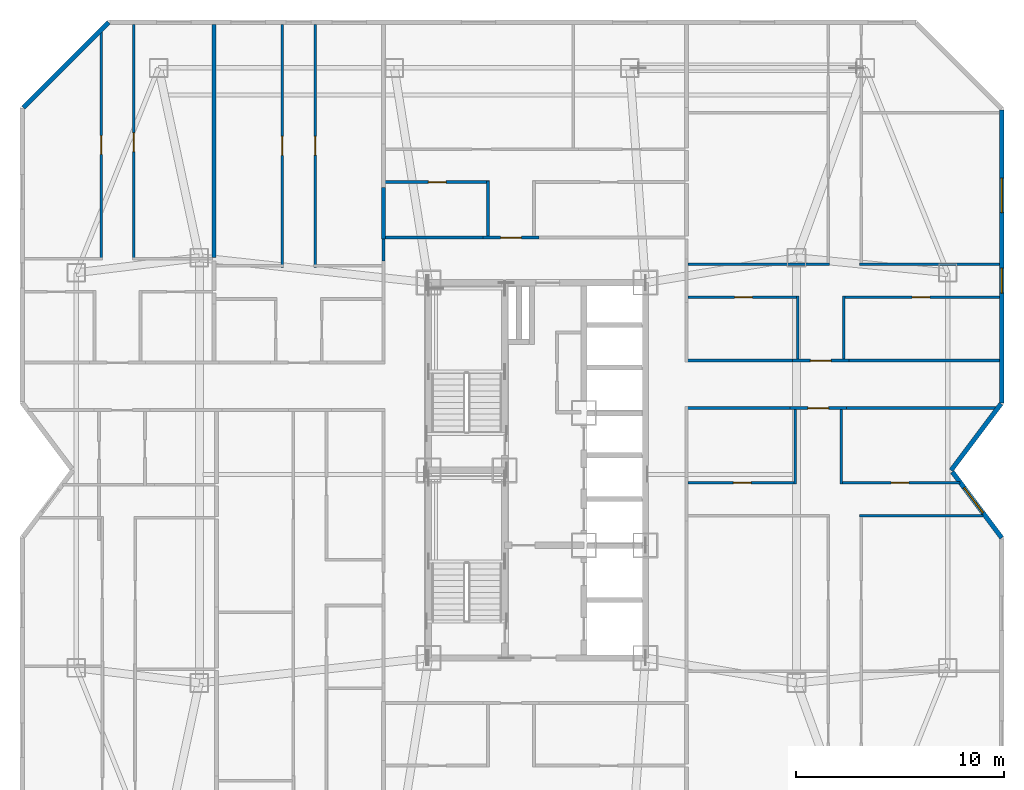
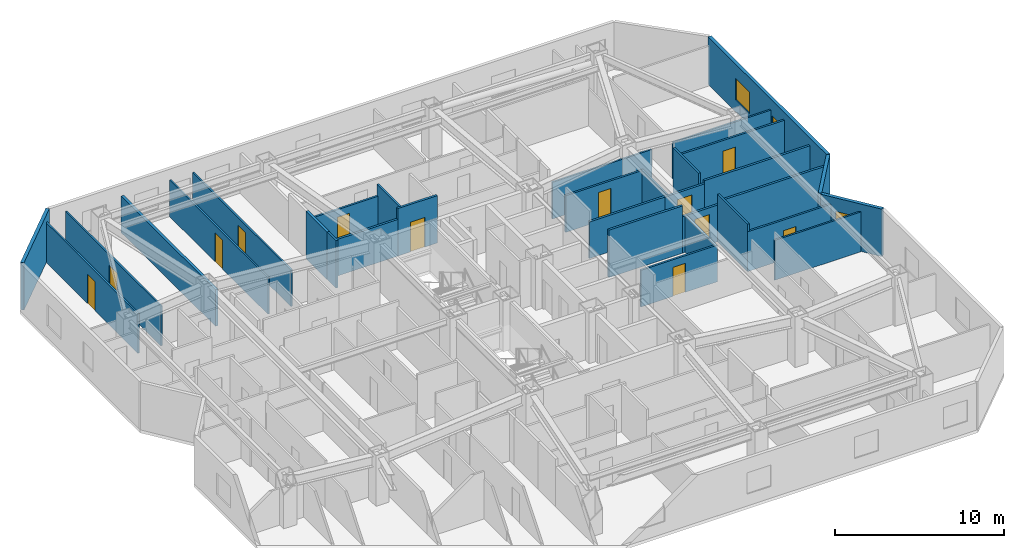
# One storey, part 9 of 12: 32 walls, 12 doors, 3 windows, 15 openings.
"""IFC4 building model written with IfcOpenShell, lengths in metres."""

from ifc_helpers import new_model, si_unit, direction, frame, frame_2d, origin, place, context, subcontext, project, spatial, rectangle, extrude, material, layer, layer_set, type_object, element, fill, save


model = new_model("IFC4")

# Units and contexts
model_context = context("Model", 3, precision=1e-05, world=origin(), true_north=direction((0.0, 1.0)))
body_context = subcontext(model_context, "Body", "Model", "MODEL_VIEW")
ifc_project = project(units=[si_unit("LENGTHUNIT", "METRE"), si_unit("AREAUNIT", "SQUARE_METRE"), si_unit("VOLUMEUNIT", "CUBIC_METRE"), si_unit("PLANEANGLEUNIT", "RADIAN"), si_unit("MASSUNIT", "GRAM", prefix="KILO")], contexts=[model_context])

# Site, building, storey
site_placement = place(None, origin())
site = spatial("IfcSite", under=ifc_project, at=site_placement, CompositionType="ELEMENT")
building_placement = place(site_placement, origin())
building = spatial("IfcBuilding", under=site, at=building_placement, Name="Khamvora Tower", CompositionType="ELEMENT")
storey_placement = place(building_placement, frame((0.0, 0.0, 138.39990234375)))
storey = spatial("IfcBuildingStorey", under=building, at=storey_placement, Name="L35", CompositionType="ELEMENT", Elevation=138.39990234375)

# Wall
ifc_material_1 = material(Name="Fire-Rated Drywall and Steel Stud", Category="steel")
ifc_layer_1 = layer(ifc_material_1, 0.14990234375)
ifc_layer_set_1 = layer_set([ifc_layer_1], Name="Fire-Rated Drywall and Steel Stud")
wall_type_1 = type_object("IfcWallType", Name="WAL-CORR-150", PredefinedType="STANDARD", material=ifc_layer_set_1)
wall_1_placement = place(storey_placement, frame((26.8349609375, 38.051025390625, 0.0), z_axis=(0.0, 0.0, 1.0), x_axis=(0.0, 1.0, 0.0)))
element("IfcWall", 1, at=wall_1_placement, inside=storey, type_object=wall_type_1, Name="L35 interior partition wall 022", PredefinedType="STANDARD", context=body_context, shape_type="SweptSolid", body=[
    extrude(rectangle(XDim=1.049072265625, YDim=0.14990234375, at=frame_2d((0.5244140625, 0.0))), origin(), (0.0, 0.0, 1.0), 3.43017578125),
])

# Wall, opening, door
wall_2_placement = place(storey_placement, frame((31.60107421875, 39.1650390625, 0.0), z_axis=(0.0, 0.0, 1.0), x_axis=(1.0, 0.0, 0.0)))
wall_2 = element("IfcWall", 2, at=wall_2_placement, inside=storey, type_object=wall_type_1, Name="L35 interior partition wall 026", PredefinedType="STANDARD", context=body_context, shape_type="SweptSolid", body=[
    extrude(rectangle(XDim=2.697998046875, YDim=0.14990234375, at=frame_2d((1.34912109375, 0.0))), origin(), (0.0, 0.0, 1.0), 3.43017578125),
])
opening_1_placement = place(wall_2_placement, frame((0.84912109375, 0.0, 0.0)))
opening_1 = element("IfcOpeningElement", 3, at=opening_1_placement, cuts=wall_2, Name="Opening D-U1", PredefinedType="OPENING", context=body_context, shape_type="SweptSolid", body=[
    extrude(rectangle(XDim=1.0, YDim=2.14990234375, at=frame_2d((0.5, 1.074951171875))), frame((0.0, 0.0849609375, 0.0), z_axis=(0.0, -1.0, 0.0), x_axis=(1.0, 0.0, 0.0)), (0.0, 0.0, 1.0), 0.169921875),
])
ifc_material_2 = material(Name="Powder-Coated Steel and Hardwood Leaf", Category="steel")
door_type_1 = type_object("IfcDoorType", Name="DOR-UNIT-1000", OperationType="NOTDEFINED", PredefinedType="DOOR", material=ifc_material_2)
door_1_placement = place(opening_1_placement, origin())
door_1 = element("IfcDoor", 4, at=door_1_placement, inside=storey, type_object=door_type_1, Name="L35 interior door COR-35NAH", OperationType="SINGLE_SWING_RIGHT", OverallHeight=2.14990234375, OverallWidth=1.0, PredefinedType="DOOR", context=body_context, shape_type="SweptSolid", body=[
    extrude(rectangle(XDim=1.0, YDim=2.14990234375, at=frame_2d((0.5, 1.074951171875))), frame((0.0, 0.02490234375, 0.0), z_axis=(0.0, -1.0, 0.0), x_axis=(1.0, 0.0, 0.0)), (0.0, 0.0, 1.0), 0.050048828125),
])
fill(opening_1, door_1)

# Wall
wall_3_placement = place(storey_placement, frame((26.89990234375, 39.1650390625, 0.0), z_axis=(0.0, 0.0, 1.0), x_axis=(1.0, 0.0, 0.0)))
element("IfcWall", 5, at=wall_3_placement, inside=storey, type_object=wall_type_1, Name="L35 interior partition wall 027", PredefinedType="STANDARD", context=body_context, shape_type="SweptSolid", body=[
    extrude(rectangle(XDim=4.701171875, YDim=0.14990234375, at=frame_2d((2.3505859375, 0.0))), origin(), (0.0, 0.0, 1.0), 2.647216796875),
])

# Wall, opening, door
wall_4_placement = place(storey_placement, frame((49.0400390625, 30.985107421875, 0.0), z_axis=(0.0, 0.0, 1.0), x_axis=(-1.0, 0.0, 0.0)))
wall_4 = element("IfcWall", 6, at=wall_4_placement, inside=storey, type_object=wall_type_1, Name="L35 interior partition wall 029", PredefinedType="STANDARD", context=body_context, shape_type="SweptSolid", body=[
    extrude(rectangle(XDim=2.697998046875, YDim=0.14990234375, at=frame_2d((1.34912109375, 0.0))), origin(), (0.0, 0.0, 1.0), 2.647216796875),
])
opening_2_placement = place(wall_4_placement, frame((0.84912109375, 0.0, 0.0)))
opening_2 = element("IfcOpeningElement", 7, at=opening_2_placement, cuts=wall_4, Name="Opening D-U1", PredefinedType="OPENING", context=body_context, shape_type="SweptSolid", body=[
    extrude(rectangle(XDim=1.0, YDim=2.14990234375, at=frame_2d((0.5, 1.074951171875))), frame((0.0, 0.0849609375, 0.0), z_axis=(0.0, -1.0, 0.0), x_axis=(1.0, 0.0, 0.0)), (0.0, 0.0, 1.0), 0.169921875),
])
door_2_placement = place(opening_2_placement, origin())
door_2 = element("IfcDoor", 8, at=door_2_placement, inside=storey, type_object=door_type_1, Name="L35 interior door COR-35EAH", OperationType="SINGLE_SWING_LEFT", OverallHeight=2.14990234375, OverallWidth=1.0, PredefinedType="DOOR", context=body_context, shape_type="SweptSolid", body=[
    extrude(rectangle(XDim=1.0, YDim=2.14990234375, at=frame_2d((0.5, 1.074951171875))), frame((0.0, 0.02490234375, 0.0), z_axis=(0.0, -1.0, 0.0), x_axis=(1.0, 0.0, 0.0)), (0.0, 0.0, 1.0), 0.050048828125),
])
fill(opening_2, door_2)

# Walls
wall_5_placement = place(storey_placement, frame((46.342041015625, 30.985107421875, 0.0), z_axis=(0.0, 0.0, 1.0), x_axis=(-1.0, 0.0, 0.0)))
element("IfcWall", 9, at=wall_5_placement, inside=storey, type_object=wall_type_1, Name="L35 interior partition wall 031", PredefinedType="STANDARD", context=body_context, shape_type="SweptSolid", body=[
    extrude(rectangle(XDim=5.0419921875, YDim=0.14990234375, at=frame_2d((2.52099609375, 0.0))), origin(), (0.0, 0.0, 1.0), 3.43017578125),
])
wall_6_placement = place(storey_placement, frame((56.287109375, 30.985107421875, 0.0), z_axis=(0.0, 0.0, 1.0), x_axis=(-1.0, 0.0, 0.0)))
element("IfcWall", 10, at=wall_6_placement, inside=storey, type_object=wall_type_1, Name="L35 interior partition wall 033", PredefinedType="STANDARD", context=body_context, shape_type="SweptSolid", body=[
    extrude(rectangle(XDim=7.2470703125, YDim=0.14990234375, at=frame_2d((3.62353515625, 0.0))), origin(), (0.0, 0.0, 1.0), 2.8759765625),
])

# Wall, opening, door
wall_7_placement = place(storey_placement, frame((46.4609375, 33.264892578125, 0.0), z_axis=(0.0, 0.0, 1.0), x_axis=(1.0, 0.0, 0.0)))
wall_7 = element("IfcWall", 11, at=wall_7_placement, inside=storey, type_object=wall_type_1, Name="L35 interior partition wall 037", PredefinedType="STANDARD", context=body_context, shape_type="SweptSolid", body=[
    extrude(rectangle(XDim=2.697998046875, YDim=0.14990234375, at=frame_2d((1.34912109375, 0.0))), origin(), (0.0, 0.0, 1.0), 2.647216796875),
])
opening_3_placement = place(wall_7_placement, frame((0.84912109375, 0.0, 0.0)))
opening_3 = element("IfcOpeningElement", 12, at=opening_3_placement, cuts=wall_7, Name="Opening D-U1", PredefinedType="OPENING", context=body_context, shape_type="SweptSolid", body=[
    extrude(rectangle(XDim=1.0, YDim=2.14990234375, at=frame_2d((0.5, 1.074951171875))), frame((0.0, 0.0849609375, 0.0), z_axis=(0.0, -1.0, 0.0), x_axis=(1.0, 0.0, 0.0)), (0.0, 0.0, 1.0), 0.169921875),
])
door_3_placement = place(opening_3_placement, origin())
door_3 = element("IfcDoor", 13, at=door_3_placement, inside=storey, type_object=door_type_1, Name="L35 interior door COR-35EBH", OperationType="SINGLE_SWING_RIGHT", OverallHeight=2.14990234375, OverallWidth=1.0, PredefinedType="DOOR", context=body_context, shape_type="SweptSolid", body=[
    extrude(rectangle(XDim=1.0, YDim=2.14990234375, at=frame_2d((0.5, 1.074951171875))), frame((0.0, 0.02490234375, 0.0), z_axis=(0.0, -1.0, 0.0), x_axis=(1.0, 0.0, 0.0)), (0.0, 0.0, 1.0), 0.050048828125),
])
fill(opening_3, door_3)

# Walls
wall_8_placement = place(storey_placement, frame((41.300048828125, 33.264892578125, 0.0), z_axis=(0.0, 0.0, 1.0), x_axis=(1.0, 0.0, 0.0)))
element("IfcWall", 14, at=wall_8_placement, inside=storey, type_object=wall_type_1, Name="L35 interior partition wall 039", PredefinedType="STANDARD", context=body_context, shape_type="SweptSolid", body=[
    extrude(rectangle(XDim=5.160888671875, YDim=0.14990234375, at=frame_2d((2.58056640625, 0.0))), origin(), (0.0, 0.0, 1.0), 2.647216796875),
])
wall_9_placement = place(storey_placement, frame((49.158935546875, 33.264892578125, 0.0), z_axis=(0.0, 0.0, 1.0), x_axis=(1.0, 0.0, 0.0)))
element("IfcWall", 15, at=wall_9_placement, inside=storey, type_object=wall_type_1, Name="L35 interior partition wall 040", PredefinedType="STANDARD", context=body_context, shape_type="SweptSolid", body=[
    extrude(rectangle(XDim=7.22900390625, YDim=0.14990234375, at=frame_2d((3.614501953125, 0.0))), origin(), (0.0, 0.0, 1.0), 2.8759765625),
])
ifc_material_3 = material(Name="Acoustic Double-Stud Fire Wall", Category="gypsum")
ifc_layer_2 = layer(ifc_material_3, 0.179931640625)
ifc_layer_set_2 = layer_set([ifc_layer_2], Name="Acoustic Double-Stud Fire Wall")
wall_type_2 = type_object("IfcWallType", Name="WAL-CORR-180", PredefinedType="STANDARD", material=ifc_layer_set_2)
wall_10_placement = place(storey_placement, frame((18.705078125, 49.387939453125, 0.0), z_axis=(0.0, 0.0, 1.0), x_axis=(0.0, -1.0, 0.0)))
element("IfcWall", 16, at=wall_10_placement, inside=storey, type_object=wall_type_2, Name="L35 interior partition wall 085", PredefinedType="STANDARD", context=body_context, shape_type="SweptSolid", body=[
    extrude(rectangle(XDim=11.180908203125, YDim=0.179931640625, at=frame_2d((5.59033203125, 0.0))), origin(), (0.0, 0.0, 1.0), 2.647216796875),
])
wall_11_placement = place(storey_placement, frame((26.8349609375, 41.572998046875, 0.0), z_axis=(0.0, 0.0, 1.0), x_axis=(0.0, -1.0, 0.0)))
element("IfcWall", 17, at=wall_11_placement, inside=storey, type_object=wall_type_2, Name="L35 interior partition wall 095", PredefinedType="STANDARD", context=body_context, shape_type="SweptSolid", body=[
    extrude(rectangle(XDim=2.472900390625, YDim=0.179931640625, at=frame_2d((1.236328125, 0.0))), origin(), (0.0, 0.0, 1.0), 3.43017578125),
])
ifc_material_4 = material(Name="Precast concrete C40/50", Category="concrete")
ifc_layer_3 = layer(ifc_material_4, 0.219970703125)
ifc_layer_set_3 = layer_set([ifc_layer_3], Name="Precast concrete C40/50")
wall_type_3 = type_object("IfcWallType", Name="WAL-EXT-220", PredefinedType="STANDARD", material=ifc_layer_set_3)
wall_12_placement = place(storey_placement, frame((9.55810546875, 45.402099609375, 0.0), z_axis=(0.0, 0.0, 1.0), x_axis=(0.707106781187, 0.707106781187, 0.0)))
element("IfcWall", 18, at=wall_12_placement, inside=storey, type_object=wall_type_3, Name="L35 exterior facade wall 06.1", PredefinedType="STANDARD", context=body_context, shape_type="SweptSolid", body=[
    extrude(rectangle(XDim=5.78125, YDim=0.219970703125, at=frame_2d((2.890625, 0.0))), origin(), (0.0, 0.0, 1.0), 3.43017578125),
])

# Wall, openings, windows
wall_13_placement = place(storey_placement, frame((56.489990234375, 45.282958984375, 0.0), z_axis=(0.0, 0.0, 1.0), x_axis=(0.0, -1.0, 0.0)))
wall_13 = element("IfcWall", 19, at=wall_13_placement, inside=storey, type_object=wall_type_3, Name="L35 exterior facade wall 09.1", PredefinedType="STANDARD", context=body_context, shape_type="SweptSolid", body=[
    extrude(rectangle(XDim=14.0458984375, YDim=0.219970703125, at=frame_2d((7.02294921875, 0.0))), origin(), (0.0, 0.0, 1.0), 3.43017578125),
])
opening_4_placement = place(wall_13_placement, frame((7.589111328125, 0.0, 0.800048828125)))
opening_4 = element("IfcOpeningElement", 20, at=opening_4_placement, cuts=wall_13, Name="Opening WN-03", PredefinedType="OPENING", context=body_context, shape_type="SweptSolid", body=[
    extrude(rectangle(XDim=1.199951171875, YDim=1.5, at=frame_2d((0.60009765625, 0.75))), frame((0.0, 0.119873046875, 0.0), z_axis=(0.0, -1.0, 0.0), x_axis=(1.0, 0.0, 0.0)), (0.0, 0.0, 1.0), 0.239990234375),
])
opening_5_placement = place(wall_13_placement, frame((3.26708984375, 0.0, 0.85009765625)))
opening_5 = element("IfcOpeningElement", 21, at=opening_5_placement, cuts=wall_13, Name="Opening WN-06", PredefinedType="OPENING", context=body_context, shape_type="SweptSolid", body=[
    extrude(rectangle(XDim=1.64990234375, YDim=1.550048828125, at=frame_2d((0.824951171875, 0.77490234375))), frame((0.0, 0.119873046875, 0.0), z_axis=(0.0, -1.0, 0.0), x_axis=(1.0, 0.0, 0.0)), (0.0, 0.0, 1.0), 0.239990234375),
])
ifc_material_5 = material(Name="Low-E Laminated Double Glazing", Category="glass")
window_type_1 = type_object("IfcWindowType", Name="WIN-VIS-1200x1500", PartitioningType="SINGLE_PANEL", PredefinedType="WINDOW", material=ifc_material_5)
window_1_placement = place(opening_4_placement, origin())
window_1 = element("IfcWindow", 22, at=window_1_placement, inside=storey, type_object=window_type_1, Name="L35 vision window 09.1.01", OverallHeight=1.5, OverallWidth=1.199951171875, PartitioningType="SINGLE_PANEL", PredefinedType="WINDOW", context=body_context, shape_type="SweptSolid", body=[
    extrude(rectangle(XDim=1.199951171875, YDim=1.5, at=frame_2d((0.60009765625, 0.75))), frame((0.0, 0.030029296875, 0.0), z_axis=(0.0, -1.0, 0.0), x_axis=(1.0, 0.0, 0.0)), (0.0, 0.0, 1.0), 0.06005859375),
])
fill(opening_4, window_1)
window_type_2 = type_object("IfcWindowType", Name="WIN-VIS-1650x1550", PartitioningType="SINGLE_PANEL", PredefinedType="WINDOW", material=ifc_material_5)
window_2_placement = place(opening_5_placement, origin())
window_2 = element("IfcWindow", 23, at=window_2_placement, inside=storey, type_object=window_type_2, Name="L35 vision window 09.1.02", OverallHeight=1.550048828125, OverallWidth=1.64990234375, PartitioningType="SINGLE_PANEL", PredefinedType="WINDOW", context=body_context, shape_type="SweptSolid", body=[
    extrude(rectangle(XDim=1.64990234375, YDim=1.550048828125, at=frame_2d((0.824951171875, 0.77490234375))), frame((0.0, 0.030029296875, 0.0), z_axis=(0.0, -1.0, 0.0), x_axis=(1.0, 0.0, 0.0)), (0.0, 0.0, 1.0), 0.06005859375),
])
fill(opening_5, window_2)

# Wall
wall_14_placement = place(storey_placement, frame((56.4560546875, 31.19091796875, 0.0), z_axis=(0.0, 0.0, 1.0), x_axis=(-0.600137081448, -0.799897170561, 0.0)))
element("IfcWall", 24, at=wall_14_placement, inside=storey, type_object=wall_type_3, Name="L35 exterior facade wall 10.1", PredefinedType="STANDARD", context=body_context, shape_type="SweptSolid", body=[
    extrude(rectangle(XDim=3.9892578125, YDim=0.219970703125, at=frame_2d((1.99462890625, 0.0))), origin(), (0.0, 0.0, 1.0), 3.43017578125),
])

# Wall, opening, window
wall_15_placement = place(storey_placement, frame((54.118896484375, 27.924072265625, 0.0), z_axis=(0.0, 0.0, 1.0), x_axis=(0.600039540588, -0.799970343032, 0.0)))
wall_15 = element("IfcWall", 25, at=wall_15_placement, inside=storey, type_object=wall_type_3, Name="L35 exterior facade wall 11.1", PredefinedType="STANDARD", context=body_context, shape_type="SweptSolid", body=[
    extrude(rectangle(XDim=3.95166015625, YDim=0.219970703125, at=frame_2d((1.975830078125, 0.0))), origin(), (0.0, 0.0, 1.0), 3.43017578125),
])
opening_6_placement = place(wall_15_placement, frame((0.946044921875, 0.0, 0.85009765625)))
opening_6 = element("IfcOpeningElement", 26, at=opening_6_placement, cuts=wall_15, Name="Opening WN-02", PredefinedType="OPENING", context=body_context, shape_type="SweptSolid", body=[
    extrude(rectangle(XDim=1.5, YDim=1.60009765625, at=frame_2d((0.75, 0.800048828125))), frame((0.0, 0.119873046875, 0.0), z_axis=(0.0, -1.0, 0.0), x_axis=(1.0, 0.0, 0.0)), (0.0, 0.0, 1.0), 0.239990234375),
])
window_type_3 = type_object("IfcWindowType", Name="WIN-VIS-1500x1600", PartitioningType="SINGLE_PANEL", PredefinedType="WINDOW", material=ifc_material_5)
window_3_placement = place(opening_6_placement, origin())
window_3 = element("IfcWindow", 27, at=window_3_placement, inside=storey, type_object=window_type_3, Name="L35 vision window 11.1.01", OverallHeight=1.60009765625, OverallWidth=1.5, PartitioningType="SINGLE_PANEL", PredefinedType="WINDOW", context=body_context, shape_type="SweptSolid", body=[
    extrude(rectangle(XDim=1.5, YDim=1.60009765625, at=frame_2d((0.75, 0.800048828125))), frame((0.0, 0.030029296875, 0.0), z_axis=(0.0, -1.0, 0.0), x_axis=(1.0, 0.0, 0.0)), (0.0, 0.0, 1.0), 0.06005859375),
])
fill(opening_6, window_3)

# Wall, opening, door
ifc_material_6 = material(Name="Gypsum Plasterboard Partition", Category="gypsum")
ifc_layer_4 = layer(ifc_material_6, 0.1201171875)
ifc_layer_set_4 = layer_set([ifc_layer_4], Name="Gypsum Plasterboard Partition")
wall_type_4 = type_object("IfcWallType", Name="WAL-PART-120", PredefinedType="PARTITIONING", material=ifc_layer_set_4)
wall_16_placement = place(storey_placement, frame((13.2900390625, 38.076904296875, 0.0), z_axis=(0.0, 0.0, 1.0), x_axis=(0.0, 1.0, 0.0)))
wall_16 = element("IfcWall", 28, at=wall_16_placement, inside=storey, type_object=wall_type_4, Name="L35 interior partition wall 079", PredefinedType="PARTITIONING", context=body_context, shape_type="SweptSolid", body=[
    extrude(rectangle(XDim=11.066162109375, YDim=0.1201171875, at=frame_2d((5.533203125, 0.0))), origin(), (0.0, 0.0, 1.0), 2.8759765625),
])
opening_7_placement = place(wall_16_placement, frame((5.0830078125, 0.0, 0.0)))
opening_7 = element("IfcOpeningElement", 29, at=opening_7_placement, cuts=wall_16, Name="Opening D-RM1", PredefinedType="OPENING", context=body_context, shape_type="SweptSolid", body=[
    extrude(rectangle(XDim=0.89990234375, YDim=2.10009765625, at=frame_2d((0.449951171875, 1.050048828125))), frame((0.0, 0.070068359375, 0.0), z_axis=(0.0, -1.0, 0.0), x_axis=(1.0, 0.0, 0.0)), (0.0, 0.0, 1.0), 0.14013671875),
])
door_type_2 = type_object("IfcDoorType", Name="DOR-ROOM-900", OperationType="NOTDEFINED", PredefinedType="DOOR", material=ifc_material_2)
door_4_placement = place(opening_7_placement, origin())
door_4 = element("IfcDoor", 30, at=door_4_placement, inside=storey, type_object=door_type_2, Name="L35 interior door 35WBH-35WBL", OperationType="SINGLE_SWING_LEFT", OverallHeight=2.10009765625, OverallWidth=0.89990234375, PredefinedType="DOOR", context=body_context, shape_type="SweptSolid", body=[
    extrude(rectangle(XDim=0.89990234375, YDim=2.10009765625, at=frame_2d((0.449951171875, 1.050048828125))), frame((0.0, 0.02490234375, 0.0), z_axis=(0.0, -1.0, 0.0), x_axis=(1.0, 0.0, 0.0)), (0.0, 0.0, 1.0), 0.050048828125),
])
fill(opening_7, door_4)

wall_17_placement = place(storey_placement, frame((14.860107421875, 49.387939453125, 0.0), z_axis=(0.0, 0.0, 1.0), x_axis=(0.0, -1.0, 0.0)))
wall_17 = element("IfcWall", 31, at=wall_17_placement, inside=storey, type_object=wall_type_4, Name="L35 interior partition wall 080", PredefinedType="PARTITIONING", context=body_context, shape_type="SweptSolid", body=[
    extrude(rectangle(XDim=11.31103515625, YDim=0.1201171875, at=frame_2d((5.655517578125, 0.0))), origin(), (0.0, 0.0, 1.0), 2.8759765625),
])
opening_8_placement = place(wall_17_placement, frame((5.205078125, 0.0, 0.0)))
opening_8 = element("IfcOpeningElement", 32, at=opening_8_placement, cuts=wall_17, Name="Opening D-RM1", PredefinedType="OPENING", context=body_context, shape_type="SweptSolid", body=[
    extrude(rectangle(XDim=0.89990234375, YDim=2.10009765625, at=frame_2d((0.449951171875, 1.050048828125))), frame((0.0, 0.070068359375, 0.0), z_axis=(0.0, -1.0, 0.0), x_axis=(1.0, 0.0, 0.0)), (0.0, 0.0, 1.0), 0.14013671875),
])
door_5_placement = place(opening_8_placement, origin())
door_5 = element("IfcDoor", 33, at=door_5_placement, inside=storey, type_object=door_type_2, Name="L35 interior door 35WBH-35WBR2", OperationType="SINGLE_SWING_RIGHT", OverallHeight=2.10009765625, OverallWidth=0.89990234375, PredefinedType="DOOR", context=body_context, shape_type="SweptSolid", body=[
    extrude(rectangle(XDim=0.89990234375, YDim=2.10009765625, at=frame_2d((0.449951171875, 1.050048828125))), frame((0.0, 0.02490234375, 0.0), z_axis=(0.0, -1.0, 0.0), x_axis=(1.0, 0.0, 0.0)), (0.0, 0.0, 1.0), 0.050048828125),
])
fill(opening_8, door_5)

wall_18_placement = place(storey_placement, frame((21.985107421875, 37.737060546875, 0.0), z_axis=(0.0, 0.0, 1.0), x_axis=(0.0, 1.0, 0.0)))
wall_18 = element("IfcWall", 34, at=wall_18_placement, inside=storey, type_object=wall_type_4, Name="L35 interior partition wall 091", PredefinedType="PARTITIONING", context=body_context, shape_type="SweptSolid", body=[
    extrude(rectangle(XDim=11.65087890625, YDim=0.1201171875, at=frame_2d((5.825439453125, 0.0))), origin(), (0.0, 0.0, 1.0), 2.647216796875),
])
opening_9_placement = place(wall_18_placement, frame((5.375, 0.0, 0.0)))
opening_9 = element("IfcOpeningElement", 35, at=opening_9_placement, cuts=wall_18, Name="Opening D-RM1", PredefinedType="OPENING", context=body_context, shape_type="SweptSolid", body=[
    extrude(rectangle(XDim=0.89990234375, YDim=2.10009765625, at=frame_2d((0.449951171875, 1.050048828125))), frame((0.0, 0.070068359375, 0.0), z_axis=(0.0, -1.0, 0.0), x_axis=(1.0, 0.0, 0.0)), (0.0, 0.0, 1.0), 0.14013671875),
])
door_6_placement = place(opening_9_placement, origin())
door_6 = element("IfcDoor", 36, at=door_6_placement, inside=storey, type_object=door_type_2, Name="L35 interior door 35WCH-35WCR1", OperationType="SINGLE_SWING_LEFT", OverallHeight=2.10009765625, OverallWidth=0.89990234375, PredefinedType="DOOR", context=body_context, shape_type="SweptSolid", body=[
    extrude(rectangle(XDim=0.89990234375, YDim=2.10009765625, at=frame_2d((0.449951171875, 1.050048828125))), frame((0.0, 0.02490234375, 0.0), z_axis=(0.0, -1.0, 0.0), x_axis=(1.0, 0.0, 0.0)), (0.0, 0.0, 1.0), 0.050048828125),
])
fill(opening_9, door_6)

wall_19_placement = place(storey_placement, frame((23.554931640625, 49.387939453125, 0.0), z_axis=(0.0, 0.0, 1.0), x_axis=(0.0, -1.0, 0.0)))
wall_19 = element("IfcWall", 37, at=wall_19_placement, inside=storey, type_object=wall_type_4, Name="L35 interior partition wall 092", PredefinedType="PARTITIONING", context=body_context, shape_type="SweptSolid", body=[
    extrude(rectangle(XDim=11.65087890625, YDim=0.1201171875, at=frame_2d((5.825439453125, 0.0))), origin(), (0.0, 0.0, 1.0), 2.647216796875),
])
opening_10_placement = place(wall_19_placement, frame((5.375, 0.0, 0.0)))
opening_10 = element("IfcOpeningElement", 38, at=opening_10_placement, cuts=wall_19, Name="Opening D-RM1", PredefinedType="OPENING", context=body_context, shape_type="SweptSolid", body=[
    extrude(rectangle(XDim=0.89990234375, YDim=2.10009765625, at=frame_2d((0.449951171875, 1.050048828125))), frame((0.0, 0.070068359375, 0.0), z_axis=(0.0, -1.0, 0.0), x_axis=(1.0, 0.0, 0.0)), (0.0, 0.0, 1.0), 0.14013671875),
])
door_7_placement = place(opening_10_placement, origin())
door_7 = element("IfcDoor", 39, at=door_7_placement, inside=storey, type_object=door_type_2, Name="L35 interior door 35WCH-35WCR2", OperationType="SINGLE_SWING_RIGHT", OverallHeight=2.10009765625, OverallWidth=0.89990234375, PredefinedType="DOOR", context=body_context, shape_type="SweptSolid", body=[
    extrude(rectangle(XDim=0.89990234375, YDim=2.10009765625, at=frame_2d((0.449951171875, 1.050048828125))), frame((0.0, 0.02490234375, 0.0), z_axis=(0.0, -1.0, 0.0), x_axis=(1.0, 0.0, 0.0)), (0.0, 0.0, 1.0), 0.050048828125),
])
fill(opening_10, door_7)

# Walls
wall_20_placement = place(storey_placement, frame((55.58203125, 25.824951171875, 0.0), z_axis=(0.0, 0.0, 1.0), x_axis=(-1.0, 0.0, 0.0)))
element("IfcWall", 40, at=wall_20_placement, inside=storey, type_object=wall_type_4, Name="L35 interior partition wall 128", PredefinedType="PARTITIONING", context=body_context, shape_type="SweptSolid", body=[
    extrude(rectangle(XDim=5.902099609375, YDim=0.1201171875, at=frame_2d((2.951171875, 0.0))), origin(), (0.0, 0.0, 1.0), 2.8759765625),
])
wall_21_placement = place(storey_placement, frame((41.431884765625, 37.884033203125, 0.0), z_axis=(0.0, 0.0, 1.0), x_axis=(1.0, 0.0, 0.0)))
element("IfcWall", 41, at=wall_21_placement, inside=storey, type_object=wall_type_4, Name="L35 interior partition wall 138", PredefinedType="PARTITIONING", context=body_context, shape_type="SweptSolid", body=[
    extrude(rectangle(XDim=6.80810546875, YDim=0.1201171875, at=frame_2d((3.404052734375, 0.0))), origin(), (0.0, 0.0, 1.0), 2.647216796875),
])
wall_22_placement = place(storey_placement, frame((49.679931640625, 37.884033203125, 0.0), z_axis=(0.0, 0.0, 1.0), x_axis=(1.0, 0.0, 0.0)))
element("IfcWall", 42, at=wall_22_placement, inside=storey, type_object=wall_type_4, Name="L35 interior partition wall 142", PredefinedType="PARTITIONING", context=body_context, shape_type="SweptSolid", body=[
    extrude(rectangle(XDim=6.7080078125, YDim=0.1201171875, at=frame_2d((3.35400390625, 0.0))), origin(), (0.0, 0.0, 1.0), 2.647216796875),
])
ifc_material_7 = material(Name="Moisture-Resistant Plasterboard Partition", Category="gypsum")
ifc_layer_5 = layer(ifc_material_7, 0.135009765625)
ifc_layer_set_5 = layer_set([ifc_layer_5], Name="Moisture-Resistant Plasterboard Partition")
wall_type_5 = type_object("IfcWallType", Name="WAL-WET-135", PredefinedType="PARTITIONING", material=ifc_layer_set_5)
wall_23_placement = place(storey_placement, frame((31.85009765625, 39.23193359375, 0.0), z_axis=(0.0, 0.0, 1.0), x_axis=(0.0, 1.0, 0.0)))
element("IfcWall", 43, at=wall_23_placement, inside=storey, type_object=wall_type_5, Name="L35 interior partition wall 107", PredefinedType="PARTITIONING", context=body_context, shape_type="SweptSolid", body=[
    extrude(rectangle(XDim=2.655029296875, YDim=0.135009765625, at=frame_2d((1.32763671875, 0.0))), origin(), (0.0, 0.0, 1.0), 3.43017578125),
])

# Wall, opening, door
wall_24_placement = place(storey_placement, frame((31.9150390625, 41.822021484375, 0.0), z_axis=(0.0, 0.0, 1.0), x_axis=(-1.0, 0.0, 0.0)))
wall_24 = element("IfcWall", 44, at=wall_24_placement, inside=storey, type_object=wall_type_5, Name="L35 interior partition wall 108", PredefinedType="PARTITIONING", context=body_context, shape_type="SweptSolid", body=[
    extrude(rectangle(XDim=4.998046875, YDim=0.135009765625, at=frame_2d((2.4990234375, 0.0))), origin(), (0.0, 0.0, 1.0), 2.647216796875),
])
opening_11_placement = place(wall_24_placement, frame((2.073974609375, 0.0, 0.0)))
opening_11 = element("IfcOpeningElement", 45, at=opening_11_placement, cuts=wall_24, Name="Opening D-WC1", PredefinedType="OPENING", context=body_context, shape_type="SweptSolid", body=[
    extrude(rectangle(XDim=0.85009765625, YDim=2.10009765625, at=frame_2d((0.425048828125, 1.050048828125))), frame((0.0, 0.077392578125, 0.0), z_axis=(0.0, -1.0, 0.0), x_axis=(1.0, 0.0, 0.0)), (0.0, 0.0, 1.0), 0.155029296875),
])
door_type_3 = type_object("IfcDoorType", Name="DOR-WET-850", OperationType="NOTDEFINED", PredefinedType="DOOR", material=ifc_material_2)
door_8_placement = place(opening_11_placement, origin())
door_8 = element("IfcDoor", 46, at=door_8_placement, inside=storey, type_object=door_type_3, Name="L35 interior door 35NAH-35NAB", OperationType="SINGLE_SWING_LEFT", OverallHeight=2.10009765625, OverallWidth=0.85009765625, PredefinedType="DOOR", context=body_context, shape_type="SweptSolid", body=[
    extrude(rectangle(XDim=0.85009765625, YDim=2.10009765625, at=frame_2d((0.425048828125, 1.050048828125))), frame((0.0, 0.02490234375, 0.0), z_axis=(0.0, -1.0, 0.0), x_axis=(1.0, 0.0, 0.0)), (0.0, 0.0, 1.0), 0.050048828125),
])
fill(opening_11, door_8)

wall_25_placement = place(storey_placement, frame((41.431884765625, 27.405029296875, 0.0), z_axis=(0.0, 0.0, 1.0), x_axis=(1.0, 0.0, 0.0)))
wall_25 = element("IfcWall", 47, at=wall_25_placement, inside=storey, type_object=wall_type_5, Name="L35 interior partition wall 118", PredefinedType="PARTITIONING", context=body_context, shape_type="SweptSolid", body=[
    extrude(rectangle(XDim=5.22412109375, YDim=0.135009765625, at=frame_2d((2.612060546875, 0.0))), origin(), (0.0, 0.0, 1.0), 2.647216796875),
])
opening_12_placement = place(wall_25_placement, frame((2.18701171875, 0.0, 0.0)))
opening_12 = element("IfcOpeningElement", 48, at=opening_12_placement, cuts=wall_25, Name="Opening D-WC1", PredefinedType="OPENING", context=body_context, shape_type="SweptSolid", body=[
    extrude(rectangle(XDim=0.85009765625, YDim=2.10009765625, at=frame_2d((0.425048828125, 1.050048828125))), frame((0.0, 0.077392578125, 0.0), z_axis=(0.0, -1.0, 0.0), x_axis=(1.0, 0.0, 0.0)), (0.0, 0.0, 1.0), 0.155029296875),
])
door_9_placement = place(opening_12_placement, origin())
door_9 = element("IfcDoor", 49, at=door_9_placement, inside=storey, type_object=door_type_3, Name="L35 interior door 35EAH-35EAB", OperationType="SINGLE_SWING_LEFT", OverallHeight=2.10009765625, OverallWidth=0.85009765625, PredefinedType="DOOR", context=body_context, shape_type="SweptSolid", body=[
    extrude(rectangle(XDim=0.85009765625, YDim=2.10009765625, at=frame_2d((0.425048828125, 1.050048828125))), frame((0.0, 0.02490234375, 0.0), z_axis=(0.0, -1.0, 0.0), x_axis=(1.0, 0.0, 0.0)), (0.0, 0.0, 1.0), 0.050048828125),
])
fill(opening_12, door_9)

# Walls
wall_26_placement = place(storey_placement, frame((46.591064453125, 27.340087890625, 0.0), z_axis=(0.0, 0.0, 1.0), x_axis=(0.0, 1.0, 0.0)))
element("IfcWall", 50, at=wall_26_placement, inside=storey, type_object=wall_type_5, Name="L35 interior partition wall 119", PredefinedType="PARTITIONING", context=body_context, shape_type="SweptSolid", body=[
    extrude(rectangle(XDim=3.577880859375, YDim=0.135009765625, at=frame_2d((1.7890625, 0.0))), origin(), (0.0, 0.0, 1.0), 2.647216796875),
])
wall_27_placement = place(storey_placement, frame((48.791015625, 30.91796875, 0.0), z_axis=(0.0, 0.0, 1.0), x_axis=(0.0, -1.0, 0.0)))
element("IfcWall", 51, at=wall_27_placement, inside=storey, type_object=wall_type_5, Name="L35 interior partition wall 120", PredefinedType="PARTITIONING", context=body_context, shape_type="SweptSolid", body=[
    extrude(rectangle(XDim=3.577880859375, YDim=0.135009765625, at=frame_2d((1.7890625, 0.0))), origin(), (0.0, 0.0, 1.0), 3.43017578125),
])

# Wall, opening, door
wall_28_placement = place(storey_placement, frame((48.72607421875, 27.405029296875, 0.0), z_axis=(0.0, 0.0, 1.0), x_axis=(1.0, 0.0, 0.0)))
wall_28 = element("IfcWall", 52, at=wall_28_placement, inside=storey, type_object=wall_type_5, Name="L35 interior partition wall 121", PredefinedType="PARTITIONING", context=body_context, shape_type="SweptSolid", body=[
    extrude(rectangle(XDim=5.767822265625, YDim=0.135009765625, at=frame_2d((2.8837890625, 0.0))), origin(), (0.0, 0.0, 1.0), 2.8759765625),
])
opening_13_placement = place(wall_28_placement, frame((2.458984375, 0.0, 0.0)))
opening_13 = element("IfcOpeningElement", 53, at=opening_13_placement, cuts=wall_28, Name="Opening D-RM2", PredefinedType="OPENING", context=body_context, shape_type="SweptSolid", body=[
    extrude(rectangle(XDim=0.85009765625, YDim=2.10009765625, at=frame_2d((0.425048828125, 1.050048828125))), frame((0.0, 0.077392578125, 0.0), z_axis=(0.0, -1.0, 0.0), x_axis=(1.0, 0.0, 0.0)), (0.0, 0.0, 1.0), 0.155029296875),
])
door_type_4 = type_object("IfcDoorType", Name="DOR-ROOM-850", OperationType="NOTDEFINED", PredefinedType="DOOR", material=ifc_material_2)
door_10_placement = place(opening_13_placement, origin())
door_10 = element("IfcDoor", 54, at=door_10_placement, inside=storey, type_object=door_type_4, Name="L35 interior door 35EAH-35EAK", OperationType="SINGLE_SWING_RIGHT", OverallHeight=2.10009765625, OverallWidth=0.85009765625, PredefinedType="DOOR", context=body_context, shape_type="SweptSolid", body=[
    extrude(rectangle(XDim=0.85009765625, YDim=2.10009765625, at=frame_2d((0.425048828125, 1.050048828125))), frame((0.0, 0.02490234375, 0.0), z_axis=(0.0, -1.0, 0.0), x_axis=(1.0, 0.0, 0.0)), (0.0, 0.0, 1.0), 0.050048828125),
])
fill(opening_13, door_10)

# Wall
wall_29_placement = place(storey_placement, frame((46.7099609375, 33.33203125, 0.0), z_axis=(0.0, 0.0, 1.0), x_axis=(0.0, 1.0, 0.0)))
element("IfcWall", 55, at=wall_29_placement, inside=storey, type_object=wall_type_5, Name="L35 interior partition wall 134", PredefinedType="PARTITIONING", context=body_context, shape_type="SweptSolid", body=[
    extrude(rectangle(XDim=3.036865234375, YDim=0.135009765625, at=frame_2d((1.5185546875, 0.0))), origin(), (0.0, 0.0, 1.0), 2.647216796875),
])

# Wall, opening, door
wall_30_placement = place(storey_placement, frame((46.77490234375, 36.303955078125, 0.0), z_axis=(0.0, 0.0, 1.0), x_axis=(-1.0, 0.0, 0.0)))
wall_30 = element("IfcWall", 56, at=wall_30_placement, inside=storey, type_object=wall_type_5, Name="L35 interior partition wall 135", PredefinedType="PARTITIONING", context=body_context, shape_type="SweptSolid", body=[
    extrude(rectangle(XDim=5.343017578125, YDim=0.135009765625, at=frame_2d((2.67138671875, 0.0))), origin(), (0.0, 0.0, 1.0), 2.647216796875),
])
opening_14_placement = place(wall_30_placement, frame((2.2470703125, 0.0, 0.0)))
opening_14 = element("IfcOpeningElement", 57, at=opening_14_placement, cuts=wall_30, Name="Opening D-WC1", PredefinedType="OPENING", context=body_context, shape_type="SweptSolid", body=[
    extrude(rectangle(XDim=0.85009765625, YDim=2.10009765625, at=frame_2d((0.425048828125, 1.050048828125))), frame((0.0, 0.077392578125, 0.0), z_axis=(0.0, -1.0, 0.0), x_axis=(1.0, 0.0, 0.0)), (0.0, 0.0, 1.0), 0.155029296875),
])
door_11_placement = place(opening_14_placement, origin())
door_11 = element("IfcDoor", 58, at=door_11_placement, inside=storey, type_object=door_type_3, Name="L35 interior door 35EBH-35EBB", OperationType="SINGLE_SWING_RIGHT", OverallHeight=2.10009765625, OverallWidth=0.85009765625, PredefinedType="DOOR", context=body_context, shape_type="SweptSolid", body=[
    extrude(rectangle(XDim=0.85009765625, YDim=2.10009765625, at=frame_2d((0.425048828125, 1.050048828125))), frame((0.0, 0.02490234375, 0.0), z_axis=(0.0, -1.0, 0.0), x_axis=(1.0, 0.0, 0.0)), (0.0, 0.0, 1.0), 0.050048828125),
])
fill(opening_14, door_11)

wall_31_placement = place(storey_placement, frame((56.387939453125, 36.303955078125, 0.0), z_axis=(0.0, 0.0, 1.0), x_axis=(-1.0, 0.0, 0.0)))
wall_31 = element("IfcWall", 59, at=wall_31_placement, inside=storey, type_object=wall_type_5, Name="L35 interior partition wall 136", PredefinedType="PARTITIONING", context=body_context, shape_type="SweptSolid", body=[
    extrude(rectangle(XDim=7.54296875, YDim=0.135009765625, at=frame_2d((3.771484375, 0.0))), origin(), (0.0, 0.0, 1.0), 2.8759765625),
])
opening_15_placement = place(wall_31_placement, frame((3.346923828125, 0.0, 0.0)))
opening_15 = element("IfcOpeningElement", 60, at=opening_15_placement, cuts=wall_31, Name="Opening D-RM2", PredefinedType="OPENING", context=body_context, shape_type="SweptSolid", body=[
    extrude(rectangle(XDim=0.85009765625, YDim=2.10009765625, at=frame_2d((0.425048828125, 1.050048828125))), frame((0.0, 0.077392578125, 0.0), z_axis=(0.0, -1.0, 0.0), x_axis=(1.0, 0.0, 0.0)), (0.0, 0.0, 1.0), 0.155029296875),
])
door_12_placement = place(opening_15_placement, origin())
door_12 = element("IfcDoor", 61, at=door_12_placement, inside=storey, type_object=door_type_4, Name="L35 interior door 35EBH-35EBK", OperationType="SINGLE_SWING_RIGHT", OverallHeight=2.10009765625, OverallWidth=0.85009765625, PredefinedType="DOOR", context=body_context, shape_type="SweptSolid", body=[
    extrude(rectangle(XDim=0.85009765625, YDim=2.10009765625, at=frame_2d((0.425048828125, 1.050048828125))), frame((0.0, 0.02490234375, 0.0), z_axis=(0.0, -1.0, 0.0), x_axis=(1.0, 0.0, 0.0)), (0.0, 0.0, 1.0), 0.050048828125),
])
fill(opening_15, door_12)

# Wall
wall_32_placement = place(storey_placement, frame((48.909912109375, 36.368896484375, 0.0), z_axis=(0.0, 0.0, 1.0), x_axis=(0.0, -1.0, 0.0)))
element("IfcWall", 62, at=wall_32_placement, inside=storey, type_object=wall_type_5, Name="L35 interior partition wall 137", PredefinedType="PARTITIONING", context=body_context, shape_type="SweptSolid", body=[
    extrude(rectangle(XDim=3.036865234375, YDim=0.135009765625, at=frame_2d((1.5185546875, 0.0))), origin(), (0.0, 0.0, 1.0), 3.43017578125),
])

save(model, "model.ifc")
